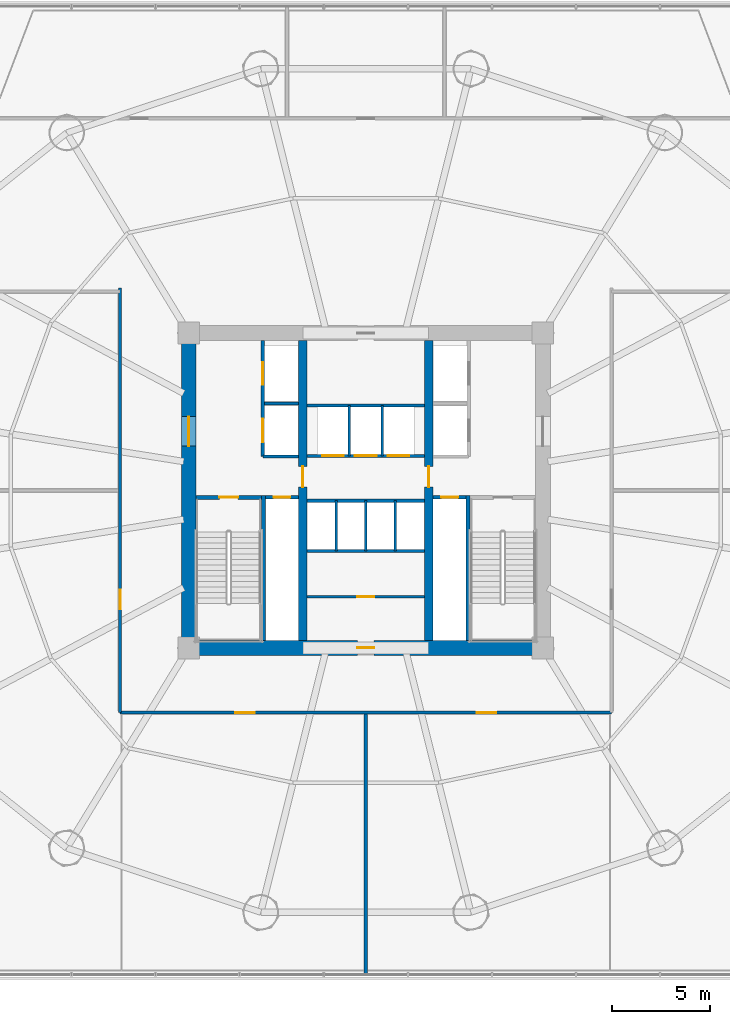
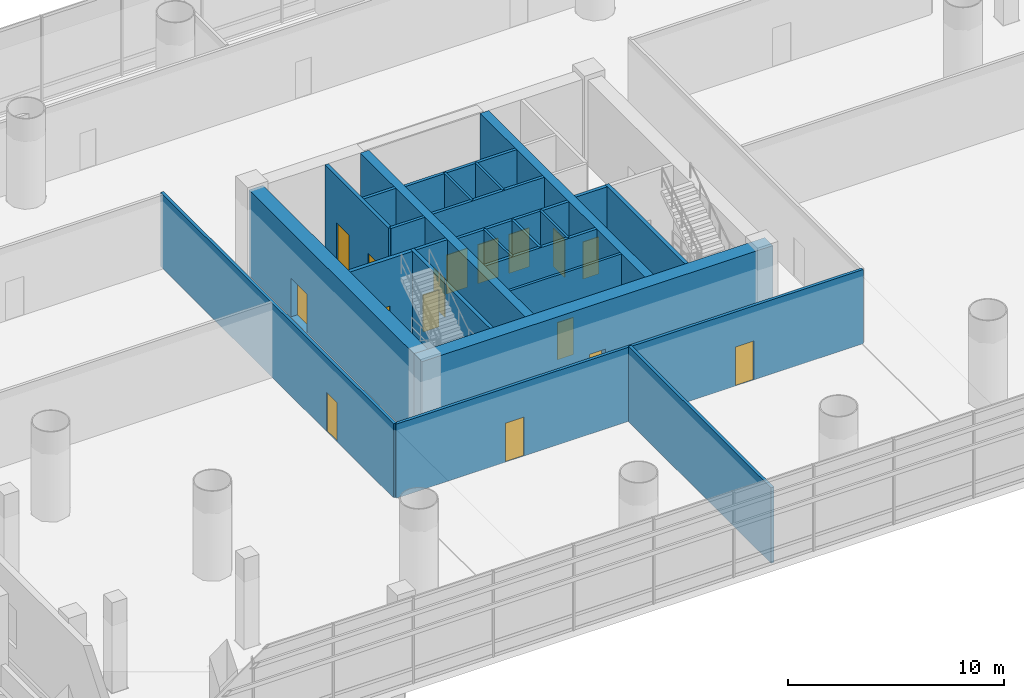
# One storey, part 21 of 31: 25 walls, 16 doors, 16 openings.
"""IFC4 building model written with IfcOpenShell, lengths in metres."""

from ifc_helpers import new_model, si_unit, direction, frame, frame_2d, origin, place, context, subcontext, project, spatial, rectangle, extrude, source, transform, mapped, material, layer, layer_set, type_object, element, fill, save


model = new_model("IFC4")

# Units and contexts
model_context = context("Model", 3, precision=1e-05, world=origin(), true_north=direction((-0.2419218956, 0.970295726276)))
body_context = subcontext(model_context, "Body", "Model", "MODEL_VIEW")
ifc_project = project(units=[si_unit("LENGTHUNIT", "METRE"), si_unit("AREAUNIT", "SQUARE_METRE"), si_unit("VOLUMEUNIT", "CUBIC_METRE"), si_unit("PLANEANGLEUNIT", "RADIAN"), si_unit("MASSUNIT", "GRAM", prefix="KILO")], contexts=[model_context])

# Site, building, storey
site_placement = place(None, origin())
site = spatial("IfcSite", under=ifc_project, at=site_placement, CompositionType="ELEMENT")
building_placement = place(site_placement, origin())
building = spatial("IfcBuilding", under=site, at=building_placement, Name="Cobrevalo Terracotta Tower", CompositionType="ELEMENT")
storey_placement = place(building_placement, frame((0.0, 0.0, 18.89990234375)))
storey = spatial("IfcBuildingStorey", under=building, at=storey_placement, Name="L04", CompositionType="ELEMENT", Elevation=18.89990234375)

# Wall, opening, door
ifc_material_1 = material(Name="Concrete C60", Category="concrete")
ifc_layer_1 = layer(ifc_material_1, 0.75)
ifc_layer_set_1 = layer_set([ifc_layer_1], Name="Concrete C60")
wall_type_1 = type_object("IfcWallType", Name="Core shear wall 750 mm Concrete C60", PredefinedType="SHEAR", material=ifc_layer_set_1)
wall_1_placement = place(storey_placement, frame((28.625, 18.800048828125, 0.0), z_axis=(0.0, 0.0, 1.0), x_axis=(1.0, 0.0, 0.0)))
wall_1 = element("IfcWall", 1, at=wall_1_placement, inside=storey, type_object=wall_type_1, Name="L04 south core shear wall", PredefinedType="SHEAR", context=body_context, shape_type="SweptSolid", body=[
    extrude(rectangle(XDim=18.75, YDim=0.75, at=frame_2d((9.375, 0.0))), origin(), (0.0, 0.0, 1.0), 4.820068359375),
])
opening_1_placement = place(wall_1_placement, frame((8.949951171875, 0.0, 0.0)))
opening_1 = element("IfcOpeningElement", 2, at=opening_1_placement, cuts=wall_1, Name="Opening ID-22", PredefinedType="OPENING", context=body_context, shape_type="SweptSolid", body=[
    extrude(rectangle(XDim=0.85009765625, YDim=2.10009765625, at=frame_2d((0.425048828125, 1.050048828125))), frame((0.0, 0.385009765625, 0.0), z_axis=(0.0, -1.0, 0.0), x_axis=(1.0, 0.0, 0.0)), (0.0, 0.0, 1.0), 0.77001953125),
])
ifc_material_2 = material(Name="Powder-coated steel", Category="steel")
door_type_1 = type_object("IfcDoorType", Name="Riser shaft & meter closet fire access door 850x2100 EI 60", OperationType="NOTDEFINED", PredefinedType="DOOR", material=ifc_material_2)
shared_shape_1 = source(origin(), body_context, "Body", "SweptSolid", [
    extrude(rectangle(XDim=0.85009765625, YDim=2.10009765625, at=frame_2d((0.425048828125, 1.050048828125))), frame((0.0, 0.02490234375, 0.0), z_axis=(0.0, -1.0, 0.0), x_axis=(1.0, 0.0, 0.0)), (0.0, 0.0, 1.0), 0.050048828125),
])
door_1_placement = place(opening_1_placement, origin())
door_1 = element("IfcDoor", 3, at=door_1_placement, inside=storey, type_object=door_type_1, Name="L04 core south plant door Smoke Extract Fan Plant", OperationType="SINGLE_SWING_RIGHT", OverallHeight=2.10009765625, OverallWidth=0.85009765625, PredefinedType="DOOR", context=body_context, shape_type="MappedRepresentation", body=[
    mapped(shared_shape_1, transform((0.0, 0.0, 0.0), scale=1.0)),
])
fill(opening_1, door_1)

wall_2_placement = place(storey_placement, frame((29.0, 19.175048828125, 0.0), z_axis=(0.0, 0.0, 1.0), x_axis=(0.0, 1.0, 0.0)))
wall_2 = element("IfcWall", 4, at=wall_2_placement, inside=storey, type_object=wall_type_1, Name="L04 west core shear wall", PredefinedType="SHEAR", context=body_context, shape_type="SweptSolid", body=[
    extrude(rectangle(XDim=15.25, YDim=0.75, at=frame_2d((7.625, 0.0))), origin(), (0.0, 0.0, 1.0), 4.820068359375),
])
opening_2_placement = place(wall_2_placement, frame((9.875, 0.0, 0.0)))
opening_2 = element("IfcOpeningElement", 5, at=opening_2_placement, cuts=wall_2, Name="Opening ID-14", PredefinedType="OPENING", context=body_context, shape_type="SweptSolid", body=[
    extrude(rectangle(XDim=1.5, YDim=2.199951171875, at=frame_2d((0.75, 1.10009765625))), frame((0.0, 0.385009765625, 0.0), z_axis=(0.0, -1.0, 0.0), x_axis=(1.0, 0.0, 0.0)), (0.0, 0.0, 1.0), 0.77001953125),
])
ifc_material_3 = material(Name="Galvanized fire-rated steel", Category="steel")
door_type_2 = type_object("IfcDoorType", Name="Core cross-lobby double fire door 1500x2200 EI 90", OperationType="NOTDEFINED", PredefinedType="DOOR", material=ifc_material_3)
shared_shape_2 = source(origin(), body_context, "Body", "SweptSolid", [
    extrude(rectangle(XDim=1.5, YDim=2.199951171875, at=frame_2d((0.75, 1.10009765625))), frame((0.0, 0.02490234375, 0.0), z_axis=(0.0, -1.0, 0.0), x_axis=(1.0, 0.0, 0.0)), (0.0, 0.0, 1.0), 0.050048828125),
])
door_2_placement = place(opening_2_placement, origin())
door_2 = element("IfcDoor", 6, at=door_2_placement, inside=storey, type_object=door_type_2, Name="L04 west firefighting lobby entrance door", OperationType="DOUBLE_DOOR_SINGLE_SWING", OverallHeight=2.199951171875, OverallWidth=1.5, PredefinedType="DOOR", context=body_context, shape_type="MappedRepresentation", body=[
    mapped(shared_shape_2, transform((0.0, 0.0, 0.0), scale=1.0)),
])
fill(opening_2, door_2)

# Walls
ifc_material_4 = material(Name="Gypsum board on steel stud", Category="steel")
ifc_layer_2 = layer(ifc_material_4, 0.159912109375)
ifc_layer_set_2 = layer_set([ifc_layer_2], Name="Gypsum board on steel stud")
wall_type_2 = type_object("IfcWallType", Name="Fire-rated corridor acoustic partition wall 160 mm", PredefinedType="PARTITIONING", material=ifc_layer_set_2)
wall_3_placement = place(storey_placement, frame((32.860107421875, 31.219970703125, 0.0), z_axis=(0.0, 0.0, 1.0), x_axis=(1.0, 0.0, 0.0)))
element("IfcWall", 7, at=wall_3_placement, inside=storey, type_object=wall_type_2, Name="L04 interior partition IW-L04-FF1-M", PredefinedType="PARTITIONING", context=body_context, shape_type="SweptSolid", body=[
    extrude(rectangle(XDim=1.71484375, YDim=0.159912109375, at=frame_2d((0.857421875, 0.0))), origin(), (0.0, 0.0, 1.0), 4.820068359375),
])
wall_4_placement = place(storey_placement, frame((32.77001953125, 28.52001953125, 0.0), z_axis=(0.0, 0.0, 1.0), x_axis=(1.0, 0.0, 0.0)))
element("IfcWall", 8, at=wall_4_placement, inside=storey, type_object=wall_type_2, Name="L04 interior partition IW-L04-FF1-S", PredefinedType="PARTITIONING", context=body_context, shape_type="SweptSolid", body=[
    extrude(rectangle(XDim=1.804931640625, YDim=0.159912109375, at=frame_2d((0.90234375, 0.0))), origin(), (0.0, 0.0, 1.0), 4.820068359375),
])

# Wall, openings, doors
wall_5_placement = place(storey_placement, frame((35.02490234375, 28.56005859375, 0.0), z_axis=(0.0, 0.0, 1.0), x_axis=(1.0, 0.0, 0.0)))
wall_5 = element("IfcWall", 9, at=wall_5_placement, inside=storey, type_object=wall_type_2, Name="L04 interior partition IW-L04-LB-S", PredefinedType="PARTITIONING", context=body_context, shape_type="SweptSolid", body=[
    extrude(rectangle(XDim=5.9501953125, YDim=0.159912109375, at=frame_2d((2.97509765625, 0.0))), origin(), (0.0, 0.0, 1.0), 4.820068359375),
])
opening_3_placement = place(wall_5_placement, frame((0.760009765625, 0.0, 0.0)))
opening_3 = element("IfcOpeningElement", 10, at=opening_3_placement, cuts=wall_5, Name="Opening LD-01", PredefinedType="OPENING", context=body_context, shape_type="SweptSolid", body=[
    extrude(rectangle(XDim=1.10009765625, YDim=2.199951171875, at=frame_2d((0.550048828125, 1.10009765625))), frame((0.0, 0.08984375, 0.0), z_axis=(0.0, -1.0, 0.0), x_axis=(1.0, 0.0, 0.0)), (0.0, 0.0, 1.0), 0.179931640625),
])
opening_4_placement = place(wall_5_placement, frame((2.425048828125, 0.0, 0.0)))
opening_4 = element("IfcOpeningElement", 11, at=opening_4_placement, cuts=wall_5, Name="Opening LD-01", PredefinedType="OPENING", context=body_context, shape_type="SweptSolid", body=[
    extrude(rectangle(XDim=1.10009765625, YDim=2.199951171875, at=frame_2d((0.550048828125, 1.10009765625))), frame((0.0, 0.08984375, 0.0), z_axis=(0.0, -1.0, 0.0), x_axis=(1.0, 0.0, 0.0)), (0.0, 0.0, 1.0), 0.179931640625),
])
opening_5_placement = place(wall_5_placement, frame((4.090087890625, 0.0, 0.0)))
opening_5 = element("IfcOpeningElement", 12, at=opening_5_placement, cuts=wall_5, Name="Opening LD-01", PredefinedType="OPENING", context=body_context, shape_type="SweptSolid", body=[
    extrude(rectangle(XDim=1.10009765625, YDim=2.199951171875, at=frame_2d((0.550048828125, 1.10009765625))), frame((0.0, 0.08984375, 0.0), z_axis=(0.0, -1.0, 0.0), x_axis=(1.0, 0.0, 0.0)), (0.0, 0.0, 1.0), 0.179931640625),
])
ifc_material_5 = material(Name="Brushed stainless steel", Category="steel")
door_type_3 = type_object("IfcDoorType", Name="Passenger lift landing bi-parting sliding door 1100x2200 EI 90", OperationType="DOUBLE_DOOR_SLIDING", PredefinedType="DOOR", material=ifc_material_5)
shared_shape_3 = source(origin(), body_context, "Body", "SweptSolid", [
    extrude(rectangle(XDim=1.10009765625, YDim=2.199951171875, at=frame_2d((0.550048828125, 1.10009765625))), frame((0.0, 0.02490234375, 0.0), z_axis=(0.0, -1.0, 0.0), x_axis=(1.0, 0.0, 0.0)), (0.0, 0.0, 1.0), 0.050048828125),
])
door_3_placement = place(opening_3_placement, origin())
door_3 = element("IfcDoor", 13, at=door_3_placement, inside=storey, type_object=door_type_3, Name="L04 lift landing door PL-L1", OperationType="DOUBLE_DOOR_SLIDING", OverallHeight=2.199951171875, OverallWidth=1.10009765625, PredefinedType="DOOR", context=body_context, shape_type="MappedRepresentation", body=[
    mapped(shared_shape_3, transform((0.0, 0.0, 0.0), scale=1.0)),
])
fill(opening_3, door_3)
door_4_placement = place(opening_4_placement, origin())
door_4 = element("IfcDoor", 14, at=door_4_placement, inside=storey, type_object=door_type_3, Name="L04 lift landing door PL-L2", OperationType="DOUBLE_DOOR_SLIDING", OverallHeight=2.199951171875, OverallWidth=1.10009765625, PredefinedType="DOOR", context=body_context, shape_type="MappedRepresentation", body=[
    mapped(shared_shape_3, transform((0.0, 0.0, 0.0), scale=1.0)),
])
fill(opening_4, door_4)
door_5_placement = place(opening_5_placement, origin())
door_5 = element("IfcDoor", 15, at=door_5_placement, inside=storey, type_object=door_type_3, Name="L04 lift landing door PL-L3", OperationType="DOUBLE_DOOR_SLIDING", OverallHeight=2.199951171875, OverallWidth=1.10009765625, PredefinedType="DOOR", context=body_context, shape_type="MappedRepresentation", body=[
    mapped(shared_shape_3, transform((0.0, 0.0, 0.0), scale=1.0)),
])
fill(opening_5, door_5)

# Walls
for number, where, z_axis, x_axis, name in (
    (16, (35.02490234375, 31.1201171875, 0.0), (0.0, 0.0, 1.0), (1.0, 0.0, 0.0), "L04 interior partition IW-L04-LB-N"),
    (17, (35.02490234375, 26.280029296875, 0.0), (0.0, 0.0, 1.0), (1.0, 0.0, 0.0), "L04 interior partition IW-L04-MB-N"),
    (18, (35.02490234375, 23.719970703125, 0.0), (0.0, 0.0, 1.0), (1.0, 0.0, 0.0), "L04 interior partition IW-L04-MB-S"),
):
    element("IfcWall", number, at=place(storey_placement, frame(where, z_axis=z_axis, x_axis=x_axis)), inside=storey, type_object=wall_type_2, Name=name, PredefinedType="PARTITIONING", context=body_context, shape_type="SweptSolid", body=[
        extrude(rectangle(XDim=5.9501953125, YDim=0.159912109375, at=frame_2d((2.97509765625, 0.0))), origin(), (0.0, 0.0, 1.0), 4.820068359375),
    ])

# Wall, openings, doors
wall_6_placement = place(storey_placement, frame((25.52001953125, 15.52001953125, 0.0), z_axis=(0.0, 0.0, 1.0), x_axis=(1.0, 0.0, 0.0)))
wall_6 = element("IfcWall", 19, at=wall_6_placement, inside=storey, type_object=wall_type_2, Name="L04 interior partition IW-L04-PC-S", PredefinedType="PARTITIONING", context=body_context, shape_type="SweptSolid", body=[
    extrude(rectangle(XDim=24.9599609375, YDim=0.159912109375, at=frame_2d((12.47998046875, 0.0))), origin(), (0.0, 0.0, 1.0), 4.18798828125),
])
opening_6_placement = place(wall_6_placement, frame((5.8544921875, 0.0, 0.0)))
opening_6 = element("IfcOpeningElement", 20, at=opening_6_placement, cuts=wall_6, Name="Opening ID-05", PredefinedType="OPENING", context=body_context, shape_type="SweptSolid", body=[
    extrude(rectangle(XDim=0.97998046875, YDim=2.199951171875, at=frame_2d((0.489990234375, 1.10009765625))), frame((0.0, 0.08984375, 0.0), z_axis=(0.0, -1.0, 0.0), x_axis=(1.0, 0.0, 0.0)), (0.0, 0.0, 1.0), 0.179931640625),
])
opening_7_placement = place(wall_6_placement, frame((18.12548828125, 0.0, 0.0)))
opening_7 = element("IfcOpeningElement", 21, at=opening_7_placement, cuts=wall_6, Name="Opening ID-05", PredefinedType="OPENING", context=body_context, shape_type="SweptSolid", body=[
    extrude(rectangle(XDim=0.97998046875, YDim=2.199951171875, at=frame_2d((0.489990234375, 1.10009765625))), frame((0.0, 0.08984375, 0.0), z_axis=(0.0, -1.0, 0.0), x_axis=(1.0, 0.0, 0.0)), (0.0, 0.0, 1.0), 0.179931640625),
])
ifc_material_6 = material(Name="Solid hardwood timber", Category="wood")
door_type_4 = type_object("IfcDoorType", Name="Residence entrance fire-rated acoustic timber door 980x2200 EI 60", OperationType="NOTDEFINED", PredefinedType="DOOR", material=ifc_material_6)
shared_shape_4 = source(origin(), body_context, "Body", "SweptSolid", [
    extrude(rectangle(XDim=0.97998046875, YDim=2.199951171875, at=frame_2d((0.489990234375, 1.10009765625))), frame((0.0, 0.02490234375, 0.0), z_axis=(0.0, -1.0, 0.0), x_axis=(1.0, 0.0, 0.0)), (0.0, 0.0, 1.0), 0.050048828125),
])
door_6_placement = place(opening_6_placement, frame((0.97998046875, 0.0, 0.0), z_axis=(0.0, 0.0, 1.0), x_axis=(-1.0, 0.0, 0.0)))
door_6 = element("IfcDoor", 22, at=door_6_placement, inside=storey, type_object=door_type_4, Name="L04 Solarium Reading Room door", OperationType="SINGLE_SWING_LEFT", OverallHeight=2.199951171875, OverallWidth=0.97998046875, PredefinedType="DOOR", context=body_context, shape_type="MappedRepresentation", body=[
    mapped(shared_shape_4, transform((0.0, 0.0, 0.0), scale=1.0)),
])
fill(opening_6, door_6)
door_7_placement = place(opening_7_placement, frame((0.97998046875, 0.0, 0.0), z_axis=(0.0, 0.0, 1.0), x_axis=(-1.0, 0.0, 0.0)))
door_7 = element("IfcDoor", 23, at=door_7_placement, inside=storey, type_object=door_type_4, Name="L04 Terrace Catering Pantry door", OperationType="SINGLE_SWING_RIGHT", OverallHeight=2.199951171875, OverallWidth=0.97998046875, PredefinedType="DOOR", context=body_context, shape_type="MappedRepresentation", body=[
    mapped(shared_shape_4, transform((0.0, 0.0, 0.0), scale=1.0)),
])
fill(opening_7, door_7)

# Wall, opening, door
wall_7_placement = place(storey_placement, frame((25.52001953125, 15.52001953125, 0.0), z_axis=(0.0, 0.0, 1.0), x_axis=(0.0, 1.0, 0.0)))
wall_7 = element("IfcWall", 24, at=wall_7_placement, inside=storey, type_object=wall_type_2, Name="L04 interior partition IW-L04-PC-W", PredefinedType="PARTITIONING", context=body_context, shape_type="SweptSolid", body=[
    extrude(rectangle(XDim=21.56005859375, YDim=0.159912109375, at=frame_2d((10.780029296875, 0.0))), origin(), (0.0, 0.0, 1.0), 4.18798828125),
])
opening_8_placement = place(wall_7_placement, frame((5.25439453125, 0.0, 0.0)))
opening_8 = element("IfcOpeningElement", 25, at=opening_8_placement, cuts=wall_7, Name="Opening ID-05", PredefinedType="OPENING", context=body_context, shape_type="SweptSolid", body=[
    extrude(rectangle(XDim=0.97998046875, YDim=2.199951171875, at=frame_2d((0.489990234375, 1.10009765625))), frame((0.0, 0.08984375, 0.0), z_axis=(0.0, -1.0, 0.0), x_axis=(1.0, 0.0, 0.0)), (0.0, 0.0, 1.0), 0.179931640625),
])
door_8_placement = place(opening_8_placement, frame((0.97998046875, 0.0, 0.0), z_axis=(0.0, 0.0, 1.0), x_axis=(-1.0, 0.0, 0.0)))
door_8 = element("IfcDoor", 26, at=door_8_placement, inside=storey, type_object=door_type_4, Name="L04 West Botanical Conservatory door", OperationType="SINGLE_SWING_LEFT", OverallHeight=2.199951171875, OverallWidth=0.97998046875, PredefinedType="DOOR", context=body_context, shape_type="MappedRepresentation", body=[
    mapped(shared_shape_4, transform((0.0, 0.0, 0.0), scale=1.0)),
])
fill(opening_8, door_8)

# Wall
wall_8_placement = place(storey_placement, frame((38.0, 2.239990234375, 0.0), z_axis=(0.0, 0.0, 1.0), x_axis=(0.0, 1.0, 0.0)))
element("IfcWall", 27, at=wall_8_placement, inside=storey, type_object=wall_type_2, Name="L04 interior partition IW-L04-PS-M", PredefinedType="PARTITIONING", context=body_context, shape_type="SweptSolid", body=[
    extrude(rectangle(XDim=13.197998046875, YDim=0.159912109375, at=frame_2d((6.59912109375, 0.0))), origin(), (0.0, 0.0, 1.0), 4.26220703125),
])

# Wall, opening, door
ifc_layer_3 = layer(ifc_material_4, 0.179931640625)
ifc_layer_set_3 = layer_set([ifc_layer_3], Name="Gypsum board on steel stud")
wall_type_3 = type_object("IfcWallType", Name="Fire-rated shaft & lobby acoustic partition wall 180 mm", PredefinedType="PARTITIONING", material=ifc_layer_set_3)
wall_9_placement = place(storey_placement, frame((32.89990234375, 26.449951171875, 0.0), z_axis=(0.0, 0.0, 1.0), x_axis=(1.0, 0.0, 0.0)))
wall_9 = element("IfcWall", 28, at=wall_9_placement, inside=storey, type_object=wall_type_3, Name="L04 interior partition IW-L04-RSW-N", PredefinedType="PARTITIONING", context=body_context, shape_type="SweptSolid", body=[
    extrude(rectangle(XDim=1.675048828125, YDim=0.179931640625, at=frame_2d((0.83740234375, 0.0))), origin(), (0.0, 0.0, 1.0), 4.820068359375),
])
opening_9_placement = place(wall_9_placement, frame((0.41259765625, 0.0, 0.0)))
opening_9 = element("IfcOpeningElement", 29, at=opening_9_placement, cuts=wall_9, Name="Opening ID-22", PredefinedType="OPENING", context=body_context, shape_type="SweptSolid", body=[
    extrude(rectangle(XDim=0.85009765625, YDim=2.10009765625, at=frame_2d((0.425048828125, 1.050048828125))), frame((0.0, 0.10009765625, 0.0), z_axis=(0.0, -1.0, 0.0), x_axis=(1.0, 0.0, 0.0)), (0.0, 0.0, 1.0), 0.199951171875),
])
door_9_placement = place(opening_9_placement, origin())
door_9 = element("IfcDoor", 30, at=door_9_placement, inside=storey, type_object=door_type_1, Name="L04 riser access door RSW", OperationType="SINGLE_SWING_LEFT", OverallHeight=2.10009765625, OverallWidth=0.85009765625, PredefinedType="DOOR", context=body_context, shape_type="MappedRepresentation", body=[
    mapped(shared_shape_1, transform((0.0, 0.0, 0.0), scale=1.0)),
])
fill(opening_9, door_9)

wall_10_placement = place(storey_placement, frame((41.425048828125, 26.449951171875, 0.0), z_axis=(0.0, 0.0, 1.0), x_axis=(1.0, 0.0, 0.0)))
wall_10 = element("IfcWall", 31, at=wall_10_placement, inside=storey, type_object=wall_type_3, Name="L04 interior partition IW-L04-RSE-N", PredefinedType="PARTITIONING", context=body_context, shape_type="SweptSolid", body=[
    extrude(rectangle(XDim=1.675048828125, YDim=0.179931640625, at=frame_2d((0.83740234375, 0.0))), origin(), (0.0, 0.0, 1.0), 4.820068359375),
])
opening_10_placement = place(wall_10_placement, frame((0.41259765625, 0.0, 0.0)))
opening_10 = element("IfcOpeningElement", 32, at=opening_10_placement, cuts=wall_10, Name="Opening ID-22", PredefinedType="OPENING", context=body_context, shape_type="SweptSolid", body=[
    extrude(rectangle(XDim=0.85009765625, YDim=2.10009765625, at=frame_2d((0.425048828125, 1.050048828125))), frame((0.0, 0.10009765625, 0.0), z_axis=(0.0, -1.0, 0.0), x_axis=(1.0, 0.0, 0.0)), (0.0, 0.0, 1.0), 0.199951171875),
])
door_10_placement = place(opening_10_placement, origin())
door_10 = element("IfcDoor", 33, at=door_10_placement, inside=storey, type_object=door_type_1, Name="L04 riser access door RSE", OperationType="SINGLE_SWING_RIGHT", OverallHeight=2.10009765625, OverallWidth=0.85009765625, PredefinedType="DOOR", context=body_context, shape_type="MappedRepresentation", body=[
    mapped(shared_shape_1, transform((0.0, 0.0, 0.0), scale=1.0)),
])
fill(opening_10, door_10)

# Wall, openings, doors
wall_11_placement = place(storey_placement, frame((32.77001953125, 28.52001953125, 0.0), z_axis=(0.0, 0.0, 1.0), x_axis=(0.0, 1.0, 0.0)))
wall_11 = element("IfcWall", 34, at=wall_11_placement, inside=storey, type_object=wall_type_3, Name="L04 interior partition IW-L04-FF1-W", PredefinedType="PARTITIONING", context=body_context, shape_type="SweptSolid", body=[
    extrude(rectangle(XDim=5.905029296875, YDim=0.179931640625, at=frame_2d((2.95263671875, 0.0))), origin(), (0.0, 0.0, 1.0), 4.820068359375),
])
opening_11_placement = place(wall_11_placement, frame((3.655029296875, 0.0, 0.0)))
opening_11 = element("IfcOpeningElement", 35, at=opening_11_placement, cuts=wall_11, Name="Opening LD-02", PredefinedType="OPENING", context=body_context, shape_type="SweptSolid", body=[
    extrude(rectangle(XDim=1.14990234375, YDim=2.199951171875, at=frame_2d((0.574951171875, 1.10009765625))), frame((0.0, 0.10009765625, 0.0), z_axis=(0.0, -1.0, 0.0), x_axis=(1.0, 0.0, 0.0)), (0.0, 0.0, 1.0), 0.199951171875),
])
opening_12_placement = place(wall_11_placement, frame((0.72998046875, 0.0, 0.0)))
opening_12 = element("IfcOpeningElement", 36, at=opening_12_placement, cuts=wall_11, Name="Opening LD-03", PredefinedType="OPENING", context=body_context, shape_type="SweptSolid", body=[
    extrude(rectangle(XDim=1.199951171875, YDim=2.25, at=frame_2d((0.60009765625, 1.125))), frame((0.0, 0.10009765625, 0.0), z_axis=(0.0, -1.0, 0.0), x_axis=(1.0, 0.0, 0.0)), (0.0, 0.0, 1.0), 0.199951171875),
])
door_type_5 = type_object("IfcDoorType", Name="Firefighting lift landing bi-parting sliding door 1150x2200 EI 120", OperationType="DOUBLE_DOOR_SLIDING", PredefinedType="DOOR", material=ifc_material_5)
shared_shape_5 = source(origin(), body_context, "Body", "SweptSolid", [
    extrude(rectangle(XDim=1.14990234375, YDim=2.199951171875, at=frame_2d((0.574951171875, 1.10009765625))), frame((0.0, 0.02490234375, 0.0), z_axis=(0.0, -1.0, 0.0), x_axis=(1.0, 0.0, 0.0)), (0.0, 0.0, 1.0), 0.050048828125),
])
door_11_placement = place(opening_11_placement, origin())
door_11 = element("IfcDoor", 37, at=door_11_placement, inside=storey, type_object=door_type_5, Name="L04 lift landing door FF-1", OperationType="DOUBLE_DOOR_SLIDING", OverallHeight=2.199951171875, OverallWidth=1.14990234375, PredefinedType="DOOR", context=body_context, shape_type="MappedRepresentation", body=[
    mapped(shared_shape_5, transform((0.0, 0.0, 0.0), scale=1.0)),
])
fill(opening_11, door_11)
door_type_6 = type_object("IfcDoorType", Name="Service lift landing bi-parting sliding door 1200x2250 EI 120", OperationType="DOUBLE_DOOR_SLIDING", PredefinedType="DOOR", material=ifc_material_5)
shared_shape_6 = source(origin(), body_context, "Body", "SweptSolid", [
    extrude(rectangle(XDim=1.199951171875, YDim=2.25, at=frame_2d((0.60009765625, 1.125))), frame((0.0, 0.02490234375, 0.0), z_axis=(0.0, -1.0, 0.0), x_axis=(1.0, 0.0, 0.0)), (0.0, 0.0, 1.0), 0.050048828125),
])
door_12_placement = place(opening_12_placement, origin())
door_12 = element("IfcDoor", 38, at=door_12_placement, inside=storey, type_object=door_type_6, Name="L04 lift landing door SV-1", OperationType="DOUBLE_DOOR_SLIDING", OverallHeight=2.25, OverallWidth=1.199951171875, PredefinedType="DOOR", context=body_context, shape_type="MappedRepresentation", body=[
    mapped(shared_shape_6, transform((0.0, 0.0, 0.0), scale=1.0)),
])
fill(opening_12, door_12)

# Walls
ifc_material_7 = material(Name="Autoclaved aerated concrete block", Category="concrete")
ifc_layer_4 = layer(ifc_material_7, 0.1201171875)
ifc_layer_set_4 = layer_set([ifc_layer_4], Name="Autoclaved aerated concrete block")
wall_type_4 = type_object("IfcWallType", Name="Fire-rated wet-room & core service partition 120 mm", PredefinedType="PARTITIONING", material=ifc_layer_set_4)
for number, where, z_axis, x_axis, name in (
    (39, (37.169921875, 28.56005859375, 0.0), (0.0, 0.0, 1.0), (0.0, 1.0, 0.0), "L04 interior partition IW-L04-LB-D1"),
    (40, (38.830078125, 28.56005859375, 0.0), (0.0, 0.0, 1.0), (0.0, 1.0, 0.0), "L04 interior partition IW-L04-LB-D2"),
    (41, (36.5, 23.719970703125, 0.0), (0.0, 0.0, 1.0), (0.0, 1.0, 0.0), "L04 interior partition IW-L04-MB-D1"),
    (42, (39.5, 23.719970703125, 0.0), (0.0, 0.0, 1.0), (0.0, 1.0, 0.0), "L04 interior partition IW-L04-MB-D3"),
):
    element("IfcWall", number, at=place(storey_placement, frame(where, z_axis=z_axis, x_axis=x_axis)), inside=storey, type_object=wall_type_4, Name=name, PredefinedType="PARTITIONING", context=body_context, shape_type="SweptSolid", body=[
        extrude(rectangle(XDim=2.56005859375, YDim=0.1201171875, at=frame_2d((1.280029296875, 0.0))), origin(), (0.0, 0.0, 1.0), 4.820068359375),
    ])

# Wall, opening, door
ifc_material_8 = material(Name="Concrete C55", Category="concrete")
ifc_layer_5 = layer(ifc_material_8, 0.449951171875)
ifc_layer_set_5 = layer_set([ifc_layer_5], Name="Concrete C55")
wall_type_5 = type_object("IfcWallType", Name="Internal core shear web wall 450 mm Concrete C55", PredefinedType="SHEAR", material=ifc_layer_set_5)
wall_12_placement = place(storey_placement, frame((34.800048828125, 19.175048828125, 0.0), z_axis=(0.0, 0.0, 1.0), x_axis=(0.0, 1.0, 0.0)))
wall_12 = element("IfcWall", 43, at=wall_12_placement, inside=storey, type_object=wall_type_5, Name="L04 internal core shear wall WEB-W", PredefinedType="SHEAR", context=body_context, shape_type="SweptSolid", body=[
    extrude(rectangle(XDim=15.25, YDim=0.449951171875, at=frame_2d((7.625, 0.0))), origin(), (0.0, 0.0, 1.0), 4.820068359375),
])
opening_13_placement = place(wall_12_placement, frame((7.800048828125, 0.0, 0.0)))
opening_13 = element("IfcOpeningElement", 44, at=opening_13_placement, cuts=wall_12, Name="Opening ID-11", PredefinedType="OPENING", context=body_context, shape_type="SweptSolid", body=[
    extrude(rectangle(XDim=1.050048828125, YDim=2.14990234375, at=frame_2d((0.52490234375, 1.074951171875))), frame((0.0, 0.23486328125, 0.0), z_axis=(0.0, -1.0, 0.0), x_axis=(1.0, 0.0, 0.0)), (0.0, 0.0, 1.0), 0.469970703125),
])
door_type_7 = type_object("IfcDoorType", Name="Core concourse cross fire door 1050x2150 EI 90", OperationType="NOTDEFINED", PredefinedType="DOOR", material=ifc_material_3)
shared_shape_7 = source(origin(), body_context, "Body", "SweptSolid", [
    extrude(rectangle(XDim=1.050048828125, YDim=2.14990234375, at=frame_2d((0.52490234375, 1.074951171875))), frame((0.0, 0.02490234375, 0.0), z_axis=(0.0, -1.0, 0.0), x_axis=(1.0, 0.0, 0.0)), (0.0, 0.0, 1.0), 0.050048828125),
])
door_13_placement = place(opening_13_placement, origin())
door_13 = element("IfcDoor", 45, at=door_13_placement, inside=storey, type_object=door_type_7, Name="L04 west core concourse cross door", OperationType="SINGLE_SWING_LEFT", OverallHeight=2.14990234375, OverallWidth=1.050048828125, PredefinedType="DOOR", context=body_context, shape_type="MappedRepresentation", body=[
    mapped(shared_shape_7, transform((0.0, 0.0, 0.0), scale=1.0)),
])
fill(opening_13, door_13)

wall_13_placement = place(storey_placement, frame((41.199951171875, 19.175048828125, 0.0), z_axis=(0.0, 0.0, 1.0), x_axis=(0.0, 1.0, 0.0)))
wall_13 = element("IfcWall", 46, at=wall_13_placement, inside=storey, type_object=wall_type_5, Name="L04 internal core shear wall WEB-E", PredefinedType="SHEAR", context=body_context, shape_type="SweptSolid", body=[
    extrude(rectangle(XDim=15.25, YDim=0.449951171875, at=frame_2d((7.625, 0.0))), origin(), (0.0, 0.0, 1.0), 4.820068359375),
])
opening_14_placement = place(wall_13_placement, frame((7.800048828125, 0.0, 0.0)))
opening_14 = element("IfcOpeningElement", 47, at=opening_14_placement, cuts=wall_13, Name="Opening ID-11", PredefinedType="OPENING", context=body_context, shape_type="SweptSolid", body=[
    extrude(rectangle(XDim=1.050048828125, YDim=2.14990234375, at=frame_2d((0.52490234375, 1.074951171875))), frame((0.0, 0.23486328125, 0.0), z_axis=(0.0, -1.0, 0.0), x_axis=(1.0, 0.0, 0.0)), (0.0, 0.0, 1.0), 0.469970703125),
])
door_14_placement = place(opening_14_placement, frame((1.050048828125, 0.0, 0.0), z_axis=(0.0, 0.0, 1.0), x_axis=(-1.0, 0.0, 0.0)))
door_14 = element("IfcDoor", 48, at=door_14_placement, inside=storey, type_object=door_type_7, Name="L04 east core concourse cross door", OperationType="SINGLE_SWING_RIGHT", OverallHeight=2.14990234375, OverallWidth=1.050048828125, PredefinedType="DOOR", context=body_context, shape_type="MappedRepresentation", body=[
    mapped(shared_shape_7, transform((0.0, 0.0, 0.0), scale=1.0)),
])
fill(opening_14, door_14)

# Wall
ifc_layer_6 = layer(ifc_material_7, 0.139892578125)
ifc_layer_set_6 = layer_set([ifc_layer_6], Name="Autoclaved aerated concrete block")
wall_type_6 = type_object("IfcWallType", Name="Moisture-resistant wet-room & core service partition 140 mm", PredefinedType="PARTITIONING", material=ifc_layer_set_6)
wall_14_placement = place(storey_placement, frame((38.0, 23.719970703125, 0.0), z_axis=(0.0, 0.0, 1.0), x_axis=(0.0, 1.0, 0.0)))
element("IfcWall", 49, at=wall_14_placement, inside=storey, type_object=wall_type_6, Name="L04 interior partition IW-L04-MB-D2", PredefinedType="PARTITIONING", context=body_context, shape_type="SweptSolid", body=[
    extrude(rectangle(XDim=2.56005859375, YDim=0.139892578125, at=frame_2d((1.280029296875, 0.0))), origin(), (0.0, 0.0, 1.0), 4.820068359375),
])

# Wall, opening, door
wall_15_placement = place(storey_placement, frame((35.02490234375, 21.407470703125, 0.0), z_axis=(0.0, 0.0, 1.0), x_axis=(1.0, 0.0, 0.0)))
wall_15 = element("IfcWall", 50, at=wall_15_placement, inside=storey, type_object=wall_type_6, Name="L04 interior partition IW-L04-KVS-H", PredefinedType="PARTITIONING", context=body_context, shape_type="SweptSolid", body=[
    extrude(rectangle(XDim=5.9501953125, YDim=0.139892578125, at=frame_2d((2.97509765625, 0.0))), origin(), (0.0, 0.0, 1.0), 4.820068359375),
])
opening_15_placement = place(wall_15_placement, frame((2.550048828125, 0.0, 0.0)))
opening_15 = element("IfcOpeningElement", 51, at=opening_15_placement, cuts=wall_15, Name="Opening ID-22", PredefinedType="OPENING", context=body_context, shape_type="SweptSolid", body=[
    extrude(rectangle(XDim=0.85009765625, YDim=2.10009765625, at=frame_2d((0.425048828125, 1.050048828125))), frame((0.0, 0.080078125, 0.0), z_axis=(0.0, -1.0, 0.0), x_axis=(1.0, 0.0, 0.0)), (0.0, 0.0, 1.0), 0.159912109375),
])
door_15_placement = place(opening_15_placement, origin())
door_15 = element("IfcDoor", 52, at=door_15_placement, inside=storey, type_object=door_type_1, Name="L04 core manifold inner door", OperationType="SINGLE_SWING_LEFT", OverallHeight=2.10009765625, OverallWidth=0.85009765625, PredefinedType="DOOR", context=body_context, shape_type="MappedRepresentation", body=[
    mapped(shared_shape_1, transform((0.0, 0.0, 0.0), scale=1.0)),
])
fill(opening_15, door_15)

# Wall
ifc_material_9 = material(Name="Concrete C50", Category="concrete")
ifc_layer_7 = layer(ifc_material_9, 0.199951171875)
ifc_layer_set_7 = layer_set([ifc_layer_7], Name="Concrete C50")
wall_type_7 = type_object("IfcWallType", Name="Structural core & podium stair-shaft RC wall 200 mm Concrete C50", PredefinedType="SOLIDWALL", material=ifc_layer_set_7)
wall_16_placement = place(storey_placement, frame((32.794921875, 19.175048828125, 0.0), z_axis=(0.0, 0.0, 1.0), x_axis=(0.0, 1.0, 0.0)))
element("IfcWall", 53, at=wall_16_placement, inside=storey, type_object=wall_type_7, Name="L04 ST-1 east structural shaft wall", PredefinedType="SOLIDWALL", context=body_context, shape_type="SweptSolid", body=[
    extrude(rectangle(XDim=7.375, YDim=0.199951171875, at=frame_2d((3.6875, 0.0))), origin(), (0.0, 0.0, 1.0), 4.820068359375),
])

# Wall, opening, door
wall_17_placement = place(storey_placement, frame((29.375, 26.449951171875, 0.0), z_axis=(0.0, 0.0, 1.0), x_axis=(1.0, 0.0, 0.0)))
wall_17 = element("IfcWall", 54, at=wall_17_placement, inside=storey, type_object=wall_type_7, Name="L04 ST-1 north structural shaft wall", PredefinedType="SOLIDWALL", context=body_context, shape_type="SweptSolid", body=[
    extrude(rectangle(XDim=3.320068359375, YDim=0.199951171875, at=frame_2d((1.66015625, 0.0))), origin(), (0.0, 0.0, 1.0), 4.820068359375),
])
opening_16_placement = place(wall_17_placement, frame((1.18505859375, 0.0, 0.0)))
opening_16 = element("IfcOpeningElement", 55, at=opening_16_placement, cuts=wall_17, Name="Opening ID-04", PredefinedType="OPENING", context=body_context, shape_type="SweptSolid", body=[
    extrude(rectangle(XDim=0.949951171875, YDim=2.14990234375, at=frame_2d((0.47509765625, 1.074951171875))), frame((0.0, 0.10986328125, 0.0), z_axis=(0.0, -1.0, 0.0), x_axis=(1.0, 0.0, 0.0)), (0.0, 0.0, 1.0), 0.219970703125),
])
door_type_8 = type_object("IfcDoorType", Name="Stair & firefighting lobby fire door 950x2150 EI 90", OperationType="NOTDEFINED", PredefinedType="DOOR", material=ifc_material_3)
shared_shape_8 = source(origin(), body_context, "Body", "SweptSolid", [
    extrude(rectangle(XDim=0.949951171875, YDim=2.14990234375, at=frame_2d((0.47509765625, 1.074951171875))), frame((0.0, 0.02490234375, 0.0), z_axis=(0.0, -1.0, 0.0), x_axis=(1.0, 0.0, 0.0)), (0.0, 0.0, 1.0), 0.050048828125),
])
door_16_placement = place(opening_16_placement, origin())
door_16 = element("IfcDoor", 56, at=door_16_placement, inside=storey, type_object=door_type_8, Name="L04 protected stair ST1 fire door", OperationType="SINGLE_SWING_LEFT", OverallHeight=2.14990234375, OverallWidth=0.949951171875, PredefinedType="DOOR", context=body_context, shape_type="MappedRepresentation", body=[
    mapped(shared_shape_8, transform((0.0, 0.0, 0.0), scale=1.0)),
])
fill(opening_16, door_16)

# Wall
wall_18_placement = place(storey_placement, frame((43.205078125, 19.175048828125, 0.0), z_axis=(0.0, 0.0, 1.0), x_axis=(0.0, 1.0, 0.0)))
element("IfcWall", 57, at=wall_18_placement, inside=storey, type_object=wall_type_7, Name="L04 ST-2 west structural shaft wall", PredefinedType="SOLIDWALL", context=body_context, shape_type="SweptSolid", body=[
    extrude(rectangle(XDim=7.375, YDim=0.199951171875, at=frame_2d((3.6875, 0.0))), origin(), (0.0, 0.0, 1.0), 4.820068359375),
])

save(model, "model.ifc")
